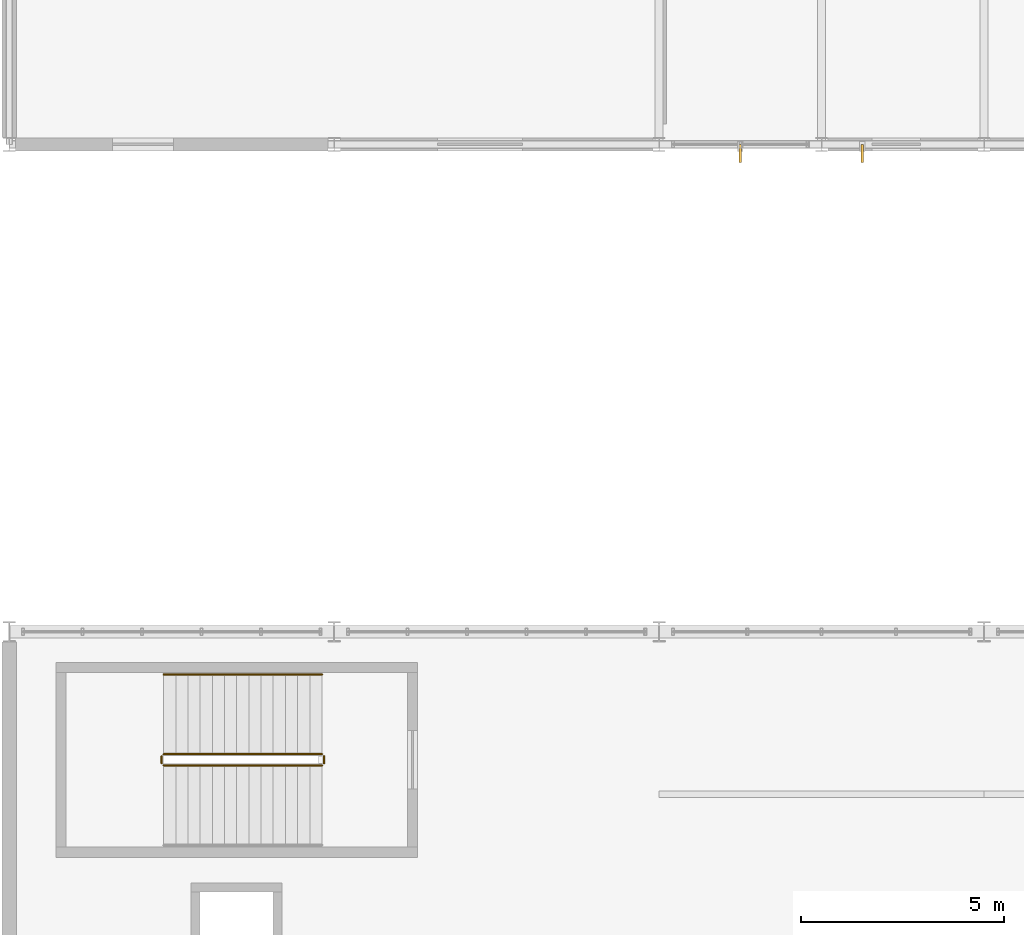
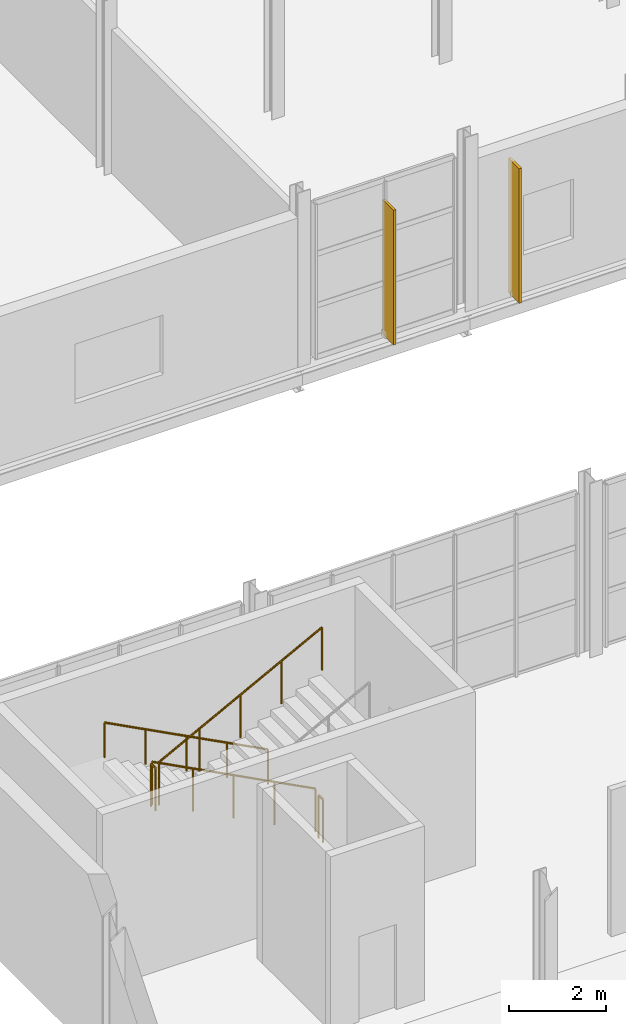
# One storey, part 146 of 153: 5 railings, 2 shading devices.
"""IFC4 building model written with IfcOpenShell, lengths in metres."""

from ifc_helpers import new_model, si_unit, derived_unit, direction, frame, origin, origin_2d, place, context, subcontext, project, spatial, rectangle, circle, extrude, material, type_object, element, save


model = new_model("IFC4")

# Units and contexts
model_context = context("Model", 3, precision=1e-05, world=origin(), true_north=direction((0.0, 1.0)))
body_context = subcontext(model_context, "Body", "Model", "MODEL_VIEW")
ifc_project = project(units=[si_unit("LENGTHUNIT", "METRE"), si_unit("AREAUNIT", "SQUARE_METRE"), si_unit("VOLUMEUNIT", "CUBIC_METRE"), si_unit("PLANEANGLEUNIT", "RADIAN"), si_unit("MASSUNIT", "GRAM", prefix="KILO"), derived_unit("THERMALTRANSMITTANCEUNIT", [(si_unit("POWERUNIT", "WATT"), 1), (si_unit("LENGTHUNIT", "METRE"), -2), (si_unit("THERMODYNAMICTEMPERATUREUNIT", "KELVIN"), -1)])], contexts=[model_context])

# Site, building, storey
site_placement = place(None, origin())
site = spatial("IfcSite", under=ifc_project, at=site_placement, CompositionType="ELEMENT")
building_placement = place(site_placement, origin())
building = spatial("IfcBuilding", under=site, at=building_placement, Name="Keldorne Ridge Multi-Sports Centre", CompositionType="ELEMENT")
storey_placement = place(building_placement, frame((0.0, 0.0, 9.60009765625)))
storey = spatial("IfcBuildingStorey", under=building, at=storey_placement, Name="L02", CompositionType="ELEMENT", Elevation=9.60009765625)

# Railings
ifc_material_1 = material(Name="Laminated glass and stainless steel", Category="steel")
railing_type_1 = type_object("IfcRailingType", Name="RLG-BL-01", PredefinedType="BALUSTRADE", material=ifc_material_1)
railing_1_placement = place(storey_placement, frame((111.699951171875, 50.989990234375, 0.156982421875)))
element("IfcRailing", 1, at=railing_1_placement, inside=storey, type_object=railing_type_1, Name="L02 ST-04 stair guard 1", PredefinedType="BALUSTRADE", context=body_context, shape_type="SweptSolid", body=[
    extrude(circle(Radius=0.02392578125, at=origin_2d()), frame((0.0, 0.0, 1.076171875), z_axis=(-0.885816339326, 0.0, 0.464036003974), x_axis=(0.0, -1.0, 0.0)), (0.0, 0.0, 1.0), 4.402587890625),
    extrude(circle(Radius=0.02099609375, at=origin_2d()), origin(), (0.0, 0.0, 1.0), 1.052001953125),
    extrude(circle(Radius=0.02099609375, at=origin_2d()), frame((-0.97509765625, 0.0, 0.5107421875)), (0.0, 0.0, 1.0), 1.052001953125),
    extrude(circle(Radius=0.02099609375, at=origin_2d()), frame((-1.949951171875, 0.0, 1.021484375)), (0.0, 0.0, 1.0), 1.052001953125),
    extrude(circle(Radius=0.02099609375, at=origin_2d()), frame((-2.9248046875, 0.0, 1.5322265625)), (0.0, 0.0, 1.0), 1.052001953125),
    extrude(circle(Radius=0.02099609375, at=origin_2d()), frame((-3.89990234375, 0.0, 2.04296875)), (0.0, 0.0, 1.0), 1.052001953125),
])
railing_2_placement = place(storey_placement, frame((107.75, 50.93994140625, 2.199951171875)))
element("IfcRailing", 2, at=railing_2_placement, inside=storey, type_object=railing_type_1, Name="L02 ST-04 stair guard 2", PredefinedType="BALUSTRADE", context=body_context, shape_type="SweptSolid", body=[
    extrude(circle(Radius=0.02392578125, at=origin_2d()), frame((0.0, 0.0, 1.076171875), z_axis=(0.0, -1.0, 0.0), x_axis=(1.0, 0.0, 0.0)), (0.0, 0.0, 1.0), 0.179931640625),
    extrude(circle(Radius=0.02099609375, at=origin_2d()), origin(), (0.0, 0.0, 1.0), 1.052001953125),
    extrude(circle(Radius=0.02099609375, at=origin_2d()), frame((0.0, -0.179931640625, 0.0)), (0.0, 0.0, 1.0), 1.052001953125),
])
railing_3_placement = place(storey_placement, frame((107.800048828125, 50.7099609375, 2.35693359375)))
element("IfcRailing", 3, at=railing_3_placement, inside=storey, type_object=railing_type_1, Name="L02 ST-04 stair guard 3", PredefinedType="BALUSTRADE", context=body_context, shape_type="SweptSolid", body=[
    extrude(circle(Radius=0.02392578125, at=origin_2d()), frame((0.0, 0.0, 1.076171875), z_axis=(0.885816339326, 0.0, 0.464036003974), x_axis=(0.0, 1.0, 0.0)), (0.0, 0.0, 1.0), 4.402587890625),
    extrude(circle(Radius=0.02099609375, at=origin_2d()), origin(), (0.0, 0.0, 1.0), 1.052001953125),
    extrude(circle(Radius=0.02099609375, at=origin_2d()), frame((0.97509765625, 0.0, 0.5107421875)), (0.0, 0.0, 1.0), 1.052001953125),
    extrude(circle(Radius=0.02099609375, at=origin_2d()), frame((1.949951171875, 0.0, 1.021484375)), (0.0, 0.0, 1.0), 1.052001953125),
    extrude(circle(Radius=0.02099609375, at=origin_2d()), frame((2.9248046875, 0.0, 1.5322265625)), (0.0, 0.0, 1.0), 1.052001953125),
    extrude(circle(Radius=0.02099609375, at=origin_2d()), frame((3.89990234375, 0.0, 2.04296875)), (0.0, 0.0, 1.0), 1.052001953125),
])
railing_4_placement = place(storey_placement, frame((111.75, 50.93994140625, 0.0)))
element("IfcRailing", 4, at=railing_4_placement, inside=storey, type_object=railing_type_1, Name="L02 ST-04 stair guard 4", PredefinedType="BALUSTRADE", context=body_context, shape_type="SweptSolid", body=[
    extrude(circle(Radius=0.02392578125, at=origin_2d()), frame((0.0, 0.0, 1.076171875), z_axis=(0.0, -1.0, 0.0), x_axis=(1.0, 0.0, 0.0)), (0.0, 0.0, 1.0), 0.179931640625),
    extrude(circle(Radius=0.02099609375, at=origin_2d()), origin(), (0.0, 0.0, 1.0), 1.052001953125),
    extrude(circle(Radius=0.02099609375, at=origin_2d()), frame((0.0, -0.179931640625, 0.0)), (0.0, 0.0, 1.0), 1.052001953125),
])
ifc_material_2 = material(Name="Stainless steel", Category="steel")
railing_type_2 = type_object("IfcRailingType", Name="RLG-HR-01", PredefinedType="HANDRAIL", material=ifc_material_2)
railing_5_placement = place(storey_placement, frame((111.699951171875, 52.949951171875, 0.156982421875)))
element("IfcRailing", 5, at=railing_5_placement, inside=storey, type_object=railing_type_2, Name="L02 ST-04 stair handrail 1", PredefinedType="HANDRAIL", context=body_context, shape_type="SweptSolid", body=[
    extrude(circle(Radius=0.02392578125, at=origin_2d()), frame((0.0, 0.0, 0.8759765625), z_axis=(-0.885816339326, 0.0, 0.464036003974), x_axis=(0.0, -1.0, 0.0)), (0.0, 0.0, 1.0), 4.402587890625),
    extrude(circle(Radius=0.02099609375, at=origin_2d()), origin(), (0.0, 0.0, 1.0), 0.851806640625),
    extrude(circle(Radius=0.02099609375, at=origin_2d()), frame((-0.97509765625, 0.0, 0.5107421875)), (0.0, 0.0, 1.0), 0.851806640625),
    extrude(circle(Radius=0.02099609375, at=origin_2d()), frame((-1.949951171875, 0.0, 1.021484375)), (0.0, 0.0, 1.0), 0.851806640625),
    extrude(circle(Radius=0.02099609375, at=origin_2d()), frame((-2.9248046875, 0.0, 1.5322265625)), (0.0, 0.0, 1.0), 0.851806640625),
    extrude(circle(Radius=0.02099609375, at=origin_2d()), frame((-3.89990234375, 0.0, 2.04296875)), (0.0, 0.0, 1.0), 0.851806640625),
])

# Shading devices
ifc_material_3 = material(Name="Anodized aluminium", Category="aluminium")
shading_device_type = type_object("IfcShadingDeviceType", Name="SHD-SF-01", PredefinedType="SHUTTER", material=ifc_material_3)
for number, where, z_axis, x_axis, name in (
    (6, (122.0, 65.77490234375, 0.0), (0.0, 0.0, 1.0), (1.0, 0.0, 0.0), "Vertical solar shading fin SF-05"),
    (7, (125.0, 65.77490234375, 0.0), (0.0, 0.0, 1.0), (1.0, 0.0, 0.0), "Vertical solar shading fin SF-06"),
):
    element("IfcShadingDevice", number, at=place(storey_placement, frame(where, z_axis=z_axis, x_axis=x_axis)), inside=storey, type_object=shading_device_type, Name=name, PredefinedType="SHUTTER", context=body_context, shape_type="SweptSolid", body=[
        extrude(rectangle(XDim=0.06005859375, YDim=0.449951171875, at=origin_2d()), origin(), (0.0, 0.0, 1.0), 3.39990234375),
    ])

save(model, "model.ifc")
